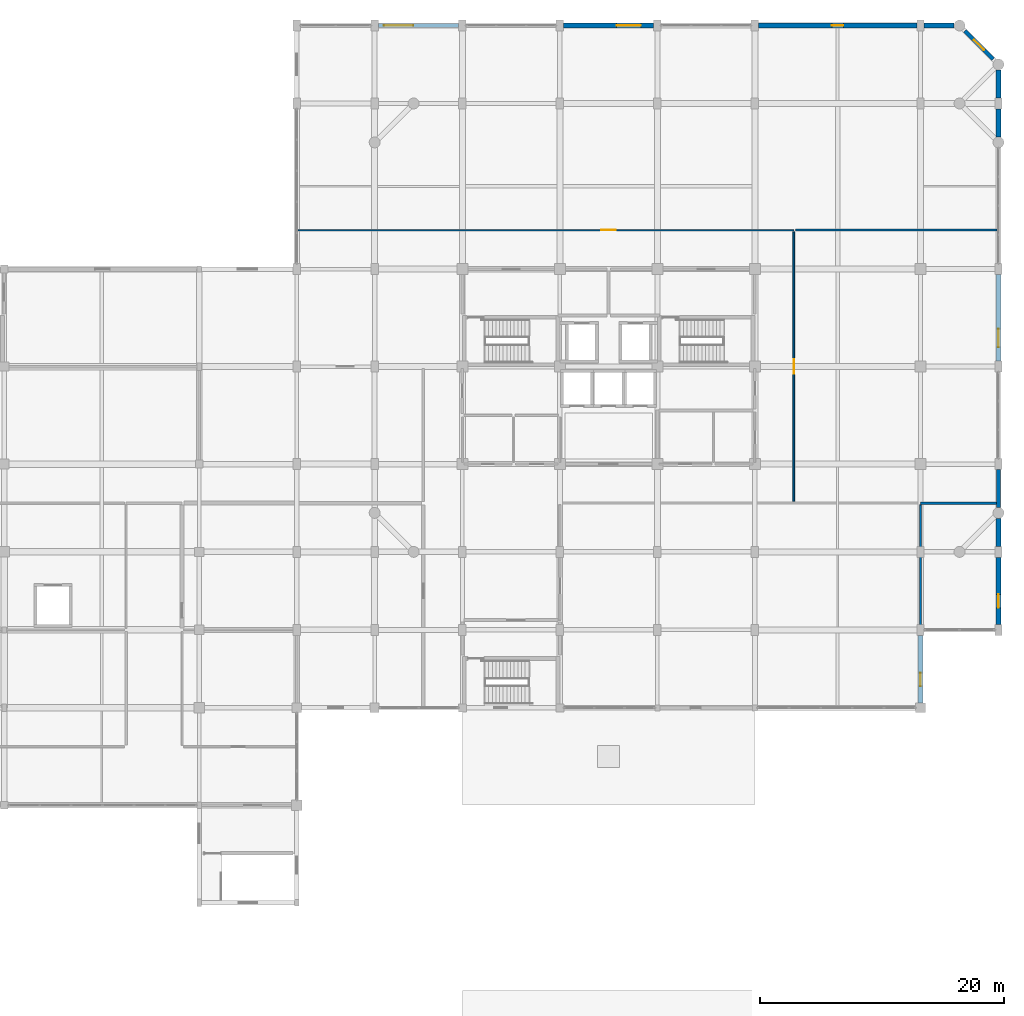
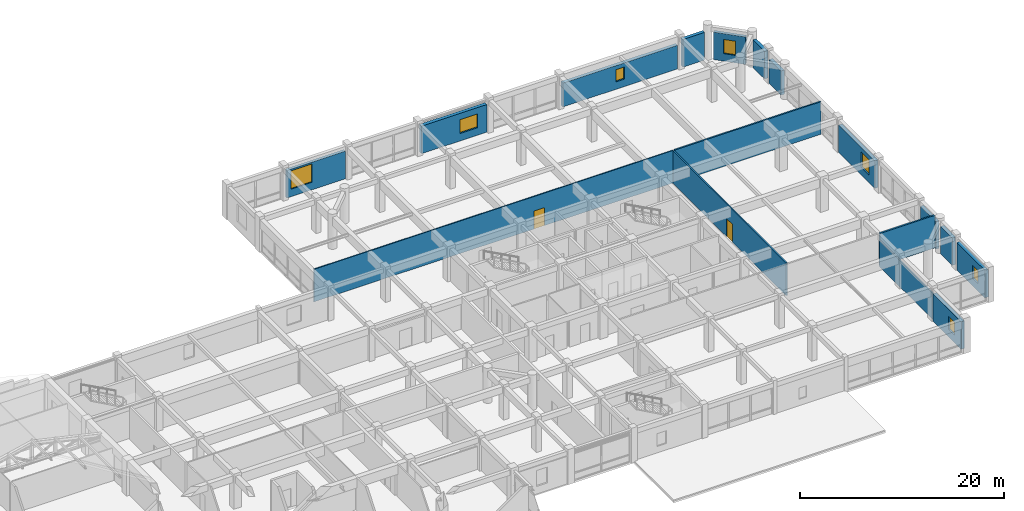
# One storey, part 32 of 35: 17 walls, 7 windows, 2 doors, 9 openings.
"""IFC4 building model written with IfcOpenShell, lengths in metres."""

from ifc_helpers import new_model, si_unit, direction, frame, frame_2d, origin, place, context, subcontext, project, spatial, rectangle, extrude, material, layer, layer_set, type_object, element, fill, save


model = new_model("IFC4")

# Units and contexts
model_context = context("Model", 3, precision=1e-05, world=origin(), true_north=direction((0.0, 1.0)))
body_context = subcontext(model_context, "Body", "Model", "MODEL_VIEW")
ifc_project = project(units=[si_unit("LENGTHUNIT", "METRE"), si_unit("AREAUNIT", "SQUARE_METRE"), si_unit("VOLUMEUNIT", "CUBIC_METRE"), si_unit("PLANEANGLEUNIT", "RADIAN"), si_unit("MASSUNIT", "GRAM", prefix="KILO")], contexts=[model_context])

# Site, building, storey
site_placement = place(None, origin())
site = spatial("IfcSite", under=ifc_project, at=site_placement, CompositionType="ELEMENT")
building_placement = place(site_placement, origin())
building = spatial("IfcBuilding", under=site, at=building_placement, Name="Vellmiral Cinema and Media Centre", CompositionType="ELEMENT")
storey_placement = place(building_placement, frame((0.0, 0.0, 15.60009765625)))
storey = spatial("IfcBuildingStorey", under=building, at=storey_placement, Name="L03", CompositionType="ELEMENT", Elevation=15.60009765625)

# Wall
ifc_material_1 = material(Name="Polychrome Glazed Ceramic Cladding", Category="masonry")
ifc_layer_1 = layer(ifc_material_1, 0.320068359375, Name="Polychrome Glazed Ceramic Cladding")
ifc_layer_set_1 = layer_set([ifc_layer_1], Name="Polychrome Glazed Ceramic Cladding")
wall_type_1 = type_object("IfcWallType", Name="WL-EXT-BRICK-320", PredefinedType="SOLIDWALL", material=ifc_layer_set_1)
wall_1_placement = place(storey_placement, frame((168.0, 75.64990234375, 0.0), z_axis=(0.0, 0.0, 1.0), x_axis=(0.0, 1.0, 0.0)))
element("IfcWall", 1, at=wall_1_placement, inside=storey, type_object=wall_type_1, Name="Exterior Facade Wall L03-021", PredefinedType="SOLIDWALL", context=body_context, shape_type="SweptSolid", body=[
    extrude(rectangle(XDim=3.10009765625, YDim=0.320068359375, at=frame_2d((1.550048828125, 0.0))), origin(), (0.0, 0.0, 1.0), 3.284912109375),
])

# Wall, opening, window
wall_2_placement = place(storey_placement, frame((167.550048828125, 112.449951171875, 0.0), z_axis=(0.0, 0.0, 1.0), x_axis=(-0.707106781187, 0.707106781187, 0.0)))
wall_2 = element("IfcWall", 2, at=wall_2_placement, inside=storey, type_object=wall_type_1, Name="Exterior Facade Wall L03-027", PredefinedType="SOLIDWALL", context=body_context, shape_type="SweptSolid", body=[
    extrude(rectangle(XDim=3.252685546875, YDim=0.320068359375, at=frame_2d((1.62646484375, 0.0))), origin(), (0.0, 0.0, 1.0), 3.294921875),
])
opening_1_placement = place(wall_2_placement, frame((1.0263671875, 0.0, 0.89990234375)))
opening_1 = element("IfcOpeningElement", 3, at=opening_1_placement, cuts=wall_2, Name="Opening WN-10", PredefinedType="OPENING", context=body_context, shape_type="SweptSolid", body=[
    extrude(rectangle(XDim=1.199951171875, YDim=1.699951171875, at=frame_2d((0.60009765625, 0.85009765625))), frame((0.0, 0.171875, 0.0), z_axis=(0.0, -1.0, 0.0), x_axis=(1.0, 0.0, 0.0)), (0.0, 0.0, 1.0), 0.343994140625),
])
ifc_material_2 = material(Name="Thermally Broken Aluminium Triple Glazing", Category="aluminium")
window_type_1 = type_object("IfcWindowType", Name="WN-1200x1700", PartitioningType="SINGLE_PANEL", PredefinedType="WINDOW", material=ifc_material_2)
window_1_placement = place(opening_1_placement, origin())
window_1 = element("IfcWindow", 4, at=window_1_placement, inside=storey, type_object=window_type_1, Name="Window L03-027", OverallHeight=1.699951171875, OverallWidth=1.199951171875, PartitioningType="SINGLE_PANEL", PredefinedType="WINDOW", context=body_context, shape_type="SweptSolid", body=[
    extrude(rectangle(XDim=1.199951171875, YDim=1.699951171875, at=frame_2d((0.60009765625, 0.85009765625))), frame((0.0, 0.030029296875, 0.0), z_axis=(0.0, -1.0, 0.0), x_axis=(1.0, 0.0, 0.0)), (0.0, 0.0, 1.0), 0.06005859375),
])
fill(opening_1, window_1)

wall_3_placement = place(storey_placement, frame((123.699951171875, 115.199951171875, 0.0), z_axis=(0.0, 0.0, 1.0), x_axis=(-1.0, 0.0, 0.0)))
wall_3 = element("IfcWall", 5, at=wall_3_placement, inside=storey, type_object=wall_type_1, Name="Exterior Facade Wall L03-033", PredefinedType="SOLIDWALL", context=body_context, shape_type="SweptSolid", body=[
    extrude(rectangle(XDim=6.599853515625, YDim=0.320068359375, at=frame_2d((3.2998046875, 0.0))), origin(), (0.0, 0.0, 1.0), 3.2998046875),
])
opening_2_placement = place(wall_3_placement, frame((3.75, 0.0, 0.89990234375)))
opening_2 = element("IfcOpeningElement", 6, at=opening_2_placement, cuts=wall_3, Name="Opening WN-01", PredefinedType="OPENING", context=body_context, shape_type="SweptSolid", body=[
    extrude(rectangle(XDim=2.39990234375, YDim=2.199951171875, at=frame_2d((1.199951171875, 1.10009765625))), frame((0.0, 0.171875, 0.0), z_axis=(0.0, -1.0, 0.0), x_axis=(1.0, 0.0, 0.0)), (0.0, 0.0, 1.0), 0.343994140625),
])
ifc_material_3 = material(Name="Thermally Broken Aluminium Triple Glazing", Category="aluminium")
window_type_2 = type_object("IfcWindowType", Name="WN-2400x2200", PartitioningType="DOUBLE_PANEL_VERTICAL", PredefinedType="WINDOW", material=ifc_material_3)
window_2_placement = place(opening_2_placement, origin())
window_2 = element("IfcWindow", 7, at=window_2_placement, inside=storey, type_object=window_type_2, Name="Window L03-033", OverallHeight=2.199951171875, OverallWidth=2.39990234375, PartitioningType="DOUBLE_PANEL_VERTICAL", PredefinedType="WINDOW", context=body_context, shape_type="SweptSolid", body=[
    extrude(rectangle(XDim=2.39990234375, YDim=2.199951171875, at=frame_2d((1.199951171875, 1.10009765625))), frame((0.0, 0.030029296875, 0.0), z_axis=(0.0, -1.0, 0.0), x_axis=(1.0, 0.0, 0.0)), (0.0, 0.0, 1.0), 0.06005859375),
])
fill(opening_2, window_2)

ifc_material_4 = material(Name="Vosges Red Sandstone Masonry", Category="masonry")
ifc_layer_2 = layer(ifc_material_4, 0.3798828125, Name="Vosges Red Sandstone Masonry")
ifc_layer_set_2 = layer_set([ifc_layer_2], Name="Vosges Red Sandstone Masonry")
wall_type_2 = type_object("IfcWallType", Name="WL-EXT-SAND-380", PredefinedType="SOLIDWALL", material=ifc_layer_set_2)
wall_4_placement = place(storey_placement, frame((161.60009765625, 59.60009765625, 0.0), z_axis=(0.0, 0.0, 1.0), x_axis=(0.0, 1.0, 0.0)))
wall_4 = element("IfcWall", 8, at=wall_4_placement, inside=storey, type_object=wall_type_2, Name="Exterior Facade Wall L03-017", PredefinedType="SOLIDWALL", context=body_context, shape_type="SweptSolid", body=[
    extrude(rectangle(XDim=5.5498046875, YDim=0.3798828125, at=frame_2d((2.77490234375, 0.0))), origin(), (0.0, 0.0, 1.0), 3.2998046875),
])
opening_3_placement = place(wall_4_placement, frame((1.375, 0.0, 0.89990234375)))
opening_3 = element("IfcOpeningElement", 9, at=opening_3_placement, cuts=wall_4, Name="Opening WN-11", PredefinedType="OPENING", context=body_context, shape_type="SweptSolid", body=[
    extrude(rectangle(XDim=1.10009765625, YDim=1.550048828125, at=frame_2d((0.550048828125, 0.77490234375))), frame((0.0, 0.201904296875, 0.0), z_axis=(0.0, -1.0, 0.0), x_axis=(1.0, 0.0, 0.0)), (0.0, 0.0, 1.0), 0.40380859375),
])
ifc_material_5 = material(Name="Thermally Broken Aluminium Triple Glazing", Category="aluminium")
window_type_3 = type_object("IfcWindowType", Name="WN-1100x1550", PartitioningType="SINGLE_PANEL", PredefinedType="WINDOW", material=ifc_material_5)
window_3_placement = place(opening_3_placement, origin())
window_3 = element("IfcWindow", 10, at=window_3_placement, inside=storey, type_object=window_type_3, Name="Window L03-017", OverallHeight=1.550048828125, OverallWidth=1.10009765625, PartitioningType="SINGLE_PANEL", PredefinedType="WINDOW", context=body_context, shape_type="SweptSolid", body=[
    extrude(rectangle(XDim=1.10009765625, YDim=1.550048828125, at=frame_2d((0.550048828125, 0.77490234375))), frame((0.0, 0.030029296875, 0.0), z_axis=(0.0, -1.0, 0.0), x_axis=(1.0, 0.0, 0.0)), (0.0, 0.0, 1.0), 0.06005859375),
])
fill(opening_3, window_3)

wall_5_placement = place(storey_placement, frame((168.0, 66.050048828125, 0.0), z_axis=(0.0, 0.0, 1.0), x_axis=(0.0, 1.0, 0.0)))
wall_5 = element("IfcWall", 11, at=wall_5_placement, inside=storey, type_object=wall_type_2, Name="Exterior Facade Wall L03-019", PredefinedType="SOLIDWALL", context=body_context, shape_type="SweptSolid", body=[
    extrude(rectangle(XDim=5.5, YDim=0.3798828125, at=frame_2d((2.75, 0.0))), origin(), (0.0, 0.0, 1.0), 3.2998046875),
])
opening_4_placement = place(wall_5_placement, frame((1.35009765625, 0.0, 0.89990234375)))
opening_4 = element("IfcOpeningElement", 12, at=opening_4_placement, cuts=wall_5, Name="Opening WN-11", PredefinedType="OPENING", context=body_context, shape_type="SweptSolid", body=[
    extrude(rectangle(XDim=1.10009765625, YDim=1.550048828125, at=frame_2d((0.550048828125, 0.77490234375))), frame((0.0, 0.201904296875, 0.0), z_axis=(0.0, -1.0, 0.0), x_axis=(1.0, 0.0, 0.0)), (0.0, 0.0, 1.0), 0.40380859375),
])
window_4_placement = place(opening_4_placement, origin())
window_4 = element("IfcWindow", 13, at=window_4_placement, inside=storey, type_object=window_type_3, Name="Window L03-019", OverallHeight=1.550048828125, OverallWidth=1.10009765625, PartitioningType="SINGLE_PANEL", PredefinedType="WINDOW", context=body_context, shape_type="SweptSolid", body=[
    extrude(rectangle(XDim=1.10009765625, YDim=1.550048828125, at=frame_2d((0.550048828125, 0.77490234375))), frame((0.0, 0.030029296875, 0.0), z_axis=(0.0, -1.0, 0.0), x_axis=(1.0, 0.0, 0.0)), (0.0, 0.0, 1.0), 0.06005859375),
])
fill(opening_4, window_4)

# Wall
wall_6_placement = place(storey_placement, frame((168.0, 72.449951171875, 0.0), z_axis=(0.0, 0.0, 1.0), x_axis=(0.0, 1.0, 0.0)))
element("IfcWall", 14, at=wall_6_placement, inside=storey, type_object=wall_type_2, Name="Exterior Facade Wall L03-020", PredefinedType="SOLIDWALL", context=body_context, shape_type="SweptSolid", body=[
    extrude(rectangle(XDim=2.300048828125, YDim=0.3798828125, at=frame_2d((1.14990234375, 0.0))), origin(), (0.0, 0.0, 1.0), 3.284912109375),
])

# Wall, opening, window
wall_7_placement = place(storey_placement, frame((168.0, 87.64990234375, 0.0), z_axis=(0.0, 0.0, 1.0), x_axis=(0.0, 1.0, 0.0)))
wall_7 = element("IfcWall", 15, at=wall_7_placement, inside=storey, type_object=wall_type_2, Name="Exterior Facade Wall L03-023", PredefinedType="SOLIDWALL", context=body_context, shape_type="SweptSolid", body=[
    extrude(rectangle(XDim=7.10009765625, YDim=0.3798828125, at=frame_2d((3.550048828125, 0.0))), origin(), (0.0, 0.0, 1.0), 3.2998046875),
])
opening_5_placement = place(wall_7_placement, frame((1.14990234375, 0.0, 0.89990234375)))
opening_5 = element("IfcOpeningElement", 16, at=opening_5_placement, cuts=wall_7, Name="Opening WN-06", PredefinedType="OPENING", context=body_context, shape_type="SweptSolid", body=[
    extrude(rectangle(XDim=1.5, YDim=1.85009765625, at=frame_2d((0.75, 0.925048828125))), frame((0.0, 0.201904296875, 0.0), z_axis=(0.0, -1.0, 0.0), x_axis=(1.0, 0.0, 0.0)), (0.0, 0.0, 1.0), 0.40380859375),
])
ifc_material_6 = material(Name="Thermally Broken Aluminium Triple Glazing", Category="aluminium")
window_type_4 = type_object("IfcWindowType", Name="WN-1500x1850", PartitioningType="SINGLE_PANEL", PredefinedType="WINDOW", material=ifc_material_6)
window_5_placement = place(opening_5_placement, origin())
window_5 = element("IfcWindow", 17, at=window_5_placement, inside=storey, type_object=window_type_4, Name="Window L03-023", OverallHeight=1.85009765625, OverallWidth=1.5, PartitioningType="SINGLE_PANEL", PredefinedType="WINDOW", context=body_context, shape_type="SweptSolid", body=[
    extrude(rectangle(XDim=1.5, YDim=1.85009765625, at=frame_2d((0.75, 0.925048828125))), frame((0.0, 0.030029296875, 0.0), z_axis=(0.0, -1.0, 0.0), x_axis=(1.0, 0.0, 0.0)), (0.0, 0.0, 1.0), 0.06005859375),
])
fill(opening_5, window_5)

# Walls
wall_8_placement = place(storey_placement, frame((168.0, 106.050048828125, 0.0), z_axis=(0.0, 0.0, 1.0), x_axis=(0.0, 1.0, 0.0)))
element("IfcWall", 18, at=wall_8_placement, inside=storey, type_object=wall_type_2, Name="Exterior Facade Wall L03-025", PredefinedType="SOLIDWALL", context=body_context, shape_type="SweptSolid", body=[
    extrude(rectangle(XDim=2.300048828125, YDim=0.3798828125, at=frame_2d((1.14990234375, 0.0))), origin(), (0.0, 0.0, 1.0), 2.885009765625),
])
wall_9_placement = place(storey_placement, frame((168.0, 109.25, 0.0), z_axis=(0.0, 0.0, 1.0), x_axis=(0.0, 1.0, 0.0)))
element("IfcWall", 19, at=wall_9_placement, inside=storey, type_object=wall_type_2, Name="Exterior Facade Wall L03-026", PredefinedType="SOLIDWALL", context=body_context, shape_type="SweptSolid", body=[
    extrude(rectangle(XDim=2.300048828125, YDim=0.3798828125, at=frame_2d((1.14990234375, 0.0))), origin(), (0.0, 0.0, 1.0), 3.2998046875),
])
wall_10_placement = place(storey_placement, frame((164.35009765625, 115.199951171875, 0.0), z_axis=(0.0, 0.0, 1.0), x_axis=(-1.0, 0.0, 0.0)))
element("IfcWall", 20, at=wall_10_placement, inside=storey, type_object=wall_type_2, Name="Exterior Facade Wall L03-028", PredefinedType="SOLIDWALL", context=body_context, shape_type="SweptSolid", body=[
    extrude(rectangle(XDim=2.4501953125, YDim=0.3798828125, at=frame_2d((1.22509765625, 0.0))), origin(), (0.0, 0.0, 1.0), 3.2998046875),
])

# Wall, opening, window
wall_11_placement = place(storey_placement, frame((161.300048828125, 115.199951171875, 0.0), z_axis=(0.0, 0.0, 1.0), x_axis=(-1.0, 0.0, 0.0)))
wall_11 = element("IfcWall", 21, at=wall_11_placement, inside=storey, type_object=wall_type_2, Name="Exterior Facade Wall L03-029", PredefinedType="SOLIDWALL", context=body_context, shape_type="SweptSolid", body=[
    extrude(rectangle(XDim=13.0, YDim=0.3798828125, at=frame_2d((6.5, 0.0))), origin(), (0.0, 0.0, 1.0), 2.8349609375),
])
opening_6_placement = place(wall_11_placement, frame((6.02490234375, 0.0, 0.89990234375)))
opening_6 = element("IfcOpeningElement", 22, at=opening_6_placement, cuts=wall_11, Name="Opening WN-12", PredefinedType="OPENING", context=body_context, shape_type="SweptSolid", body=[
    extrude(rectangle(XDim=0.949951171875, YDim=1.449951171875, at=frame_2d((0.47509765625, 0.72509765625))), frame((0.0, 0.201904296875, 0.0), z_axis=(0.0, -1.0, 0.0), x_axis=(1.0, 0.0, 0.0)), (0.0, 0.0, 1.0), 0.40380859375),
])
ifc_material_7 = material(Name="Thermally Broken Aluminium Triple Glazing", Category="aluminium")
window_type_5 = type_object("IfcWindowType", Name="WN-0950x1450", PartitioningType="SINGLE_PANEL", PredefinedType="WINDOW", material=ifc_material_7)
window_6_placement = place(opening_6_placement, origin())
window_6 = element("IfcWindow", 23, at=window_6_placement, inside=storey, type_object=window_type_5, Name="Window L03-029", OverallHeight=1.449951171875, OverallWidth=0.949951171875, PartitioningType="SINGLE_PANEL", PredefinedType="WINDOW", context=body_context, shape_type="SweptSolid", body=[
    extrude(rectangle(XDim=0.949951171875, YDim=1.449951171875, at=frame_2d((0.47509765625, 0.72509765625))), frame((0.0, 0.030029296875, 0.0), z_axis=(0.0, -1.0, 0.0), x_axis=(1.0, 0.0, 0.0)), (0.0, 0.0, 1.0), 0.06005859375),
])
fill(opening_6, window_6)

wall_12_placement = place(storey_placement, frame((139.699951171875, 115.199951171875, 0.0), z_axis=(0.0, 0.0, 1.0), x_axis=(-1.0, 0.0, 0.0)))
wall_12 = element("IfcWall", 24, at=wall_12_placement, inside=storey, type_object=wall_type_2, Name="Exterior Facade Wall L03-031", PredefinedType="SOLIDWALL", context=body_context, shape_type="SweptSolid", body=[
    extrude(rectangle(XDim=7.39990234375, YDim=0.3798828125, at=frame_2d((3.699951171875, 0.0))), origin(), (0.0, 0.0, 1.0), 3.2998046875),
])
opening_7_placement = place(wall_12_placement, frame((1.050048828125, 0.0, 0.89990234375)))
opening_7 = element("IfcOpeningElement", 25, at=opening_7_placement, cuts=wall_12, Name="Opening WN-14", PredefinedType="OPENING", context=body_context, shape_type="SweptSolid", body=[
    extrude(rectangle(XDim=2.0, YDim=1.64990234375, at=frame_2d((1.0, 0.824951171875))), frame((0.0, 0.201904296875, 0.0), z_axis=(0.0, -1.0, 0.0), x_axis=(1.0, 0.0, 0.0)), (0.0, 0.0, 1.0), 0.40380859375),
])
ifc_material_8 = material(Name="Thermally Broken Aluminium Triple Glazing", Category="aluminium")
window_type_6 = type_object("IfcWindowType", Name="WN-2000x1650", PartitioningType="DOUBLE_PANEL_HORIZONTAL", PredefinedType="WINDOW", material=ifc_material_8)
window_7_placement = place(opening_7_placement, origin())
window_7 = element("IfcWindow", 26, at=window_7_placement, inside=storey, type_object=window_type_6, Name="Window L03-031", OverallHeight=1.64990234375, OverallWidth=2.0, PartitioningType="DOUBLE_PANEL_HORIZONTAL", PredefinedType="WINDOW", context=body_context, shape_type="SweptSolid", body=[
    extrude(rectangle(XDim=2.0, YDim=1.64990234375, at=frame_2d((1.0, 0.824951171875))), frame((0.0, 0.030029296875, 0.0), z_axis=(0.0, -1.0, 0.0), x_axis=(1.0, 0.0, 0.0)), (0.0, 0.0, 1.0), 0.06005859375),
])
fill(opening_7, window_7)

# Wall, opening, door
ifc_material_9 = material(Name="Gypsum Plasterboard")
ifc_layer_3 = layer(ifc_material_9, 0.02490234375, Name="Gypsum Plasterboard", Category="gypsum")
ifc_material_10 = material(Name="Mineral Wool Acoustic Insulation", Category="insulation")
ifc_layer_4 = layer(ifc_material_10, 0.06005859375, Name="Mineral Wool Acoustic Insulation", Category="insulation")
ifc_layer_5 = layer(ifc_material_9, 0.02490234375, Name="Gypsum Plasterboard", Category="gypsum")
ifc_layer_set_3 = layer_set([ifc_layer_3, ifc_layer_4, ifc_layer_5], Name="Gypsum Plasterboard")
wall_type_3 = type_object("IfcWallType", Name="WL-PART-110", PredefinedType="PARTITIONING", material=ifc_layer_set_3)
wall_13_placement = place(storey_placement, frame((110.5048828125, 98.39990234375, 0.0), z_axis=(0.0, 0.0, 1.0), x_axis=(1.0, 0.0, 0.0)))
wall_13 = element("IfcWall", 27, at=wall_13_placement, inside=storey, type_object=wall_type_3, Name="Tower L03 Post-Production Office North Wall S", PredefinedType="PARTITIONING", context=body_context, shape_type="SweptSolid", body=[
    extrude(rectangle(XDim=40.695068359375, YDim=0.110107421875, at=frame_2d((20.34765625, 0.0))), origin(), (0.0, 0.0, 1.0), 3.89990234375),
])
opening_8_placement = place(wall_13_placement, frame((24.89501953125, 0.0, 0.0)))
opening_8 = element("IfcOpeningElement", 28, at=opening_8_placement, cuts=wall_13, Name="Opening D-I05", PredefinedType="OPENING", context=body_context, shape_type="SweptSolid", body=[
    extrude(rectangle(XDim=1.199951171875, YDim=2.14990234375, at=frame_2d((0.60009765625, 1.074951171875))), frame((0.0, 0.06689453125, 0.0), z_axis=(0.0, -1.0, 0.0), x_axis=(1.0, 0.0, 0.0)), (0.0, 0.0, 1.0), 0.134033203125),
])
ifc_material_11 = material(Name="Laminated Timber Door", Category="wood")
door_type = type_object("IfcDoorType", Name="DR-INT-1200x2150", OperationType="NOTDEFINED", PredefinedType="DOOR", material=ifc_material_11)
door_1_placement = place(opening_8_placement, origin())
door_1 = element("IfcDoor", 29, at=door_1_placement, inside=storey, type_object=door_type, Name="Tower L03 Post-Production Office North Door", OperationType="SINGLE_SWING_RIGHT", OverallHeight=2.14990234375, OverallWidth=1.199951171875, PredefinedType="DOOR", context=body_context, shape_type="SweptSolid", body=[
    extrude(rectangle(XDim=1.199951171875, YDim=2.14990234375, at=frame_2d((0.60009765625, 1.074951171875))), frame((0.0, 0.02490234375, 0.0), z_axis=(0.0, -1.0, 0.0), x_axis=(1.0, 0.0, 0.0)), (0.0, 0.0, 1.0), 0.050048828125),
])
fill(opening_8, door_1)

# Wall
ifc_material_12 = material(Name="Gypsum Plasterboard")
ifc_layer_6 = layer(ifc_material_12, 0.02490234375, Name="Gypsum Plasterboard", Category="gypsum")
ifc_material_13 = material(Name="Mineral Wool Acoustic Insulation", Category="insulation")
ifc_layer_7 = layer(ifc_material_13, 0.080078125, Name="Mineral Wool Acoustic Insulation", Category="insulation")
ifc_layer_8 = layer(ifc_material_12, 0.02490234375, Name="Gypsum Plasterboard", Category="gypsum")
ifc_layer_set_4 = layer_set([ifc_layer_6, ifc_layer_7, ifc_layer_8], Name="Gypsum Plasterboard")
wall_type_4 = type_object("IfcWallType", Name="WL-PART-130", PredefinedType="PARTITIONING", material=ifc_layer_set_4)
wall_14_placement = place(storey_placement, frame((161.60009765625, 65.2900390625, 0.0), z_axis=(0.0, 0.0, 1.0), x_axis=(0.0, 1.0, 0.0)))
element("IfcWall", 30, at=wall_14_placement, inside=storey, type_object=wall_type_4, Name="Tower L03 Post-Production Office South Wall E", PredefinedType="PARTITIONING", context=body_context, shape_type="SweptSolid", body=[
    extrude(rectangle(XDim=10.570068359375, YDim=0.1298828125, at=frame_2d((5.28515625, 0.0))), origin(), (0.0, 0.0, 1.0), 3.14501953125),
])

# Wall, opening, door
ifc_material_14 = material(Name="Gypsum Plasterboard")
ifc_layer_9 = layer(ifc_material_14, 0.02490234375, Name="Gypsum Plasterboard", Category="gypsum")
ifc_material_15 = material(Name="Mineral Wool Acoustic Insulation", Category="insulation")
ifc_layer_10 = layer(ifc_material_15, 0.10009765625, Name="Mineral Wool Acoustic Insulation", Category="insulation")
ifc_layer_11 = layer(ifc_material_14, 0.02490234375, Name="Gypsum Plasterboard", Category="gypsum")
ifc_layer_set_5 = layer_set([ifc_layer_9, ifc_layer_10, ifc_layer_11], Name="Gypsum Plasterboard")
wall_type_5 = type_object("IfcWallType", Name="WL-PART-150", PredefinedType="PARTITIONING", material=ifc_layer_set_5)
wall_15_placement = place(storey_placement, frame((151.199951171875, 76.139892578125, 0.0), z_axis=(0.0, 0.0, 1.0), x_axis=(0.0, 1.0, 0.0)))
wall_15 = element("IfcWall", 31, at=wall_15_placement, inside=storey, type_object=wall_type_5, Name="Tower L03 Post-Production Office East Wall W", PredefinedType="PARTITIONING", context=body_context, shape_type="SweptSolid", body=[
    extrude(rectangle(XDim=22.1201171875, YDim=0.14990234375, at=frame_2d((11.06005859375, 0.0))), origin(), (0.0, 0.0, 1.0), 3.89990234375),
])
opening_9_placement = place(wall_15_placement, frame((10.4599609375, 0.0, 0.0)))
opening_9 = element("IfcOpeningElement", 32, at=opening_9_placement, cuts=wall_15, Name="Opening D-I05", PredefinedType="OPENING", context=body_context, shape_type="SweptSolid", body=[
    extrude(rectangle(XDim=1.199951171875, YDim=2.14990234375, at=frame_2d((0.60009765625, 1.074951171875))), frame((0.0, 0.0869140625, 0.0), z_axis=(0.0, -1.0, 0.0), x_axis=(1.0, 0.0, 0.0)), (0.0, 0.0, 1.0), 0.173828125),
])
door_2_placement = place(opening_9_placement, frame((1.199951171875, 0.0, 0.0), z_axis=(0.0, 0.0, 1.0), x_axis=(-1.0, 0.0, 0.0)))
door_2 = element("IfcDoor", 33, at=door_2_placement, inside=storey, type_object=door_type, Name="Tower L03 Post-Production Office East Door", OperationType="SINGLE_SWING_RIGHT", OverallHeight=2.14990234375, OverallWidth=1.199951171875, PredefinedType="DOOR", context=body_context, shape_type="SweptSolid", body=[
    extrude(rectangle(XDim=1.199951171875, YDim=2.14990234375, at=frame_2d((0.60009765625, 1.074951171875))), frame((0.0, 0.02490234375, 0.0), z_axis=(0.0, -1.0, 0.0), x_axis=(1.0, 0.0, 0.0)), (0.0, 0.0, 1.0), 0.050048828125),
])
fill(opening_9, door_2)

# Walls
ifc_material_16 = material(Name="Gypsum Plasterboard")
ifc_layer_12 = layer(ifc_material_16, 0.02490234375, Name="Gypsum Plasterboard", Category="gypsum")
ifc_material_17 = material(Name="Mineral Wool Acoustic Insulation", Category="insulation")
ifc_layer_13 = layer(ifc_material_17, 0.1201171875, Name="Mineral Wool Acoustic Insulation", Category="insulation")
ifc_layer_14 = layer(ifc_material_16, 0.02490234375, Name="Gypsum Plasterboard", Category="gypsum")
ifc_layer_set_6 = layer_set([ifc_layer_12, ifc_layer_13, ifc_layer_14], Name="Gypsum Plasterboard")
wall_type_6 = type_object("IfcWallType", Name="WL-PART-170", PredefinedType="PARTITIONING", material=ifc_layer_set_6)
wall_16_placement = place(storey_placement, frame((151.340087890625, 98.39990234375, 0.0), z_axis=(0.0, 0.0, 1.0), x_axis=(1.0, 0.0, 0.0)))
element("IfcWall", 34, at=wall_16_placement, inside=storey, type_object=wall_type_6, Name="Tower L03 Post-Production Office East Wall N", PredefinedType="PARTITIONING", context=body_context, shape_type="SweptSolid", body=[
    extrude(rectangle(XDim=16.554931640625, YDim=0.169921875, at=frame_2d((8.27734375, 0.0))), origin(), (0.0, 0.0, 1.0), 3.89990234375),
])
ifc_material_18 = material(Name="Gypsum Plasterboard")
ifc_layer_15 = layer(ifc_material_18, 0.02490234375, Name="Gypsum Plasterboard", Category="gypsum")
ifc_material_19 = material(Name="Mineral Wool Acoustic Insulation", Category="insulation")
ifc_layer_16 = layer(ifc_material_19, 0.139892578125, Name="Mineral Wool Acoustic Insulation", Category="insulation")
ifc_layer_17 = layer(ifc_material_18, 0.02490234375, Name="Gypsum Plasterboard", Category="gypsum")
ifc_layer_set_7 = layer_set([ifc_layer_15, ifc_layer_16, ifc_layer_17], Name="Gypsum Plasterboard")
wall_type_7 = type_object("IfcWallType", Name="WL-PART-190", PredefinedType="PARTITIONING", material=ifc_layer_set_7)
wall_17_placement = place(storey_placement, frame((161.60009765625, 76.0, 0.0), z_axis=(0.0, 0.0, 1.0), x_axis=(1.0, 0.0, 0.0)))
element("IfcWall", 35, at=wall_17_placement, inside=storey, type_object=wall_type_7, Name="Tower L03 Post-Production Office East Wall S", PredefinedType="PARTITIONING", context=body_context, shape_type="SweptSolid", body=[
    extrude(rectangle(XDim=6.224853515625, YDim=0.18994140625, at=frame_2d((3.1123046875, 0.0))), origin(), (0.0, 0.0, 1.0), 3.89990234375),
])

save(model, "model.ifc")
